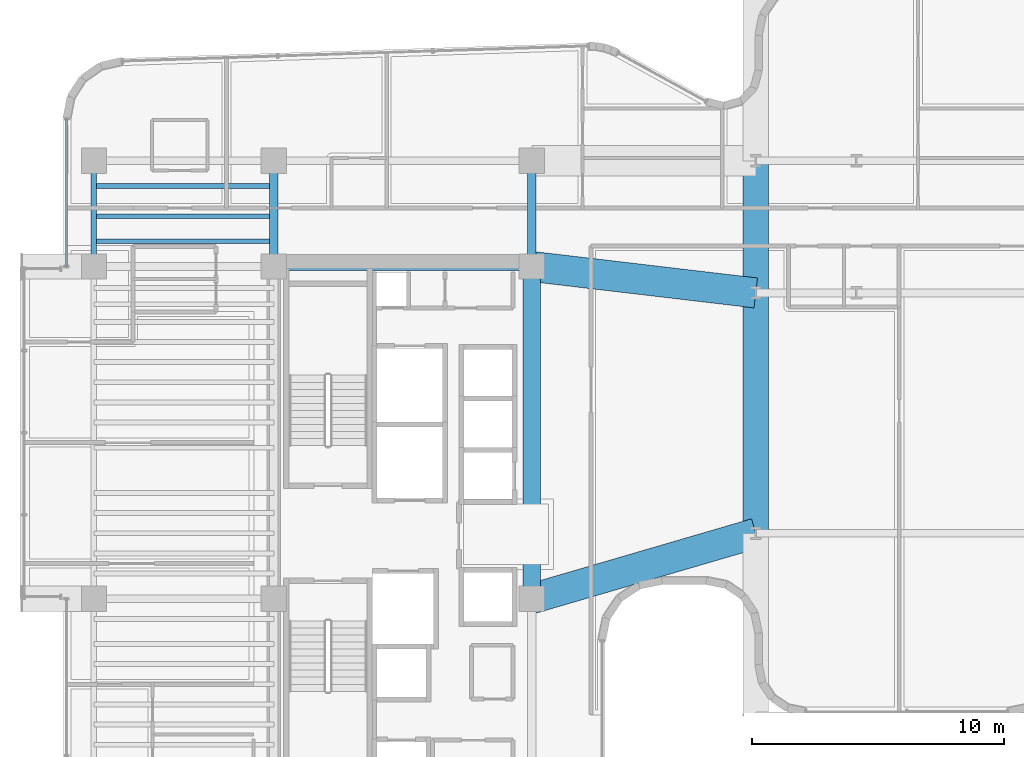
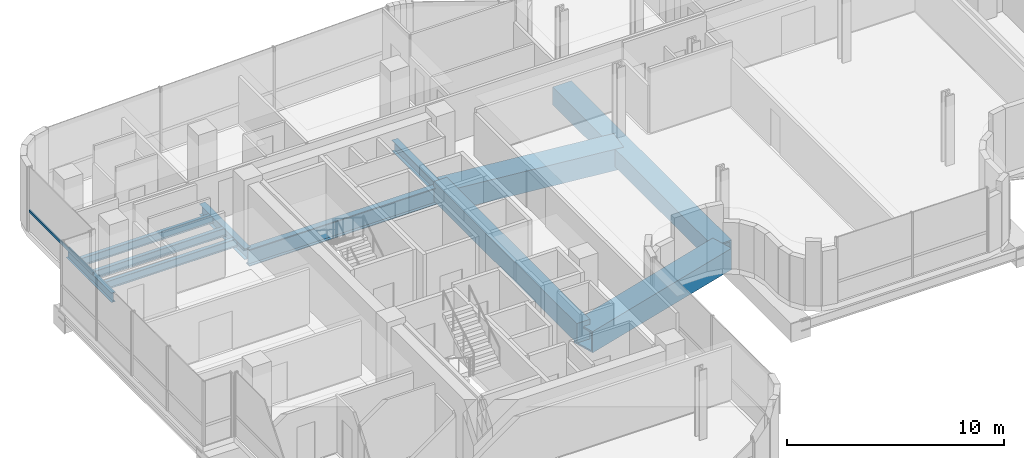
# One storey, part 8 of 38: 11 beams, 1 member, 1 element without a shape of its own.
"""IFC4 building model written with IfcOpenShell, lengths in metres."""

from ifc_helpers import new_model, si_unit, direction, frame, origin, origin_2d, place, context, subcontext, project, spatial, rectangle, hollow_rectangle, i_section, extrude, source, transform, mapped, material, material_profile, profile_set, type_object, element, aggregate, save


model = new_model("IFC4")

# Units and contexts
model_context = context("Model", 3, precision=1e-05, world=origin(), true_north=direction((0.0, 1.0)))
body_context = subcontext(model_context, "Body", "Model", "MODEL_VIEW")
ifc_project = project(units=[si_unit("LENGTHUNIT", "METRE"), si_unit("AREAUNIT", "SQUARE_METRE"), si_unit("VOLUMEUNIT", "CUBIC_METRE"), si_unit("PLANEANGLEUNIT", "RADIAN"), si_unit("MASSUNIT", "GRAM", prefix="KILO")], contexts=[model_context])

# Site, building, storey
site_placement = place(None, origin())
site = spatial("IfcSite", under=ifc_project, at=site_placement, CompositionType="ELEMENT")
building_placement = place(site_placement, origin())
building = spatial("IfcBuilding", under=site, at=building_placement, Name="Valdorenza Pilgrim Sanctuary Tower", CompositionType="ELEMENT")
storey_placement = place(building_placement, frame((0.0, 0.0, 180.5)))
storey = spatial("IfcBuildingStorey", under=building, at=storey_placement, Name="L46", CompositionType="ELEMENT", Elevation=180.5)

# Beams
ifc_material_1 = material(Name="Concrete C50/60", Category="concrete")
ifc_material_profile_1 = material_profile(ifc_material_1, rectangle(XDim=0.699951171875, YDim=1.10009765625, at=origin_2d()), Name="RC 1100x700")
ifc_profile_set_1 = profile_set([ifc_material_profile_1], Name="Concrete C50/60")
beam_type_1 = type_object("IfcBeamType", Name="STR-BM-LNT-1100", PredefinedType="LINTEL", material=ifc_profile_set_1)
shared_shape_1 = source(origin(), body_context, "Body", "SweptSolid", [
    extrude(rectangle(XDim=0.699951171875, YDim=1.10009765625, at=origin_2d()), origin(), (0.0, 0.0, 1.0), 13.2001953125),
])
beam_1_placement = place(storey_placement, frame((-12.39990234375, -2.60009765625, -0.590087890625), z_axis=(0.0, 1.0, 0.0), x_axis=(-1.0, 0.0, 0.0)))
element("IfcBeam", 1, at=beam_1_placement, inside=storey, type_object=beam_type_1, Name="L46 Core A Coupling Lintel Girder", PredefinedType="LINTEL", context=body_context, shape_type="MappedRepresentation", body=[
    mapped(shared_shape_1, transform((0.0, 0.0, 0.0), x_axis=(1.0, 0.0, 0.0), y_axis=(0.0, 1.0, 0.0), z_axis=(0.0, 0.0, 1.0), scale=1.0)),
])
ifc_material_2 = material(Name="Steel ASTM A992 Grade 50", Category="steel")
ifc_material_profile_2 = material_profile(ifc_material_2, i_section(OverallWidth=0.323974609375, OverallDepth=0.611083984375, WebThickness=0.0126953125, FlangeThickness=0.01904296875, at=origin_2d()), Name="W24X104")
ifc_profile_set_2 = profile_set([ifc_material_profile_2], Name="Steel ASTM A992 Grade 50")
beam_type_2 = type_object("IfcBeamType", Name="STR-BM-GRD-W24B", PredefinedType="BEAM", material=ifc_profile_set_2)
shared_shape_2 = source(origin(), body_context, "Body", "SweptSolid", [
    extrude(i_section(OverallWidth=0.323974609375, OverallDepth=0.611083984375, WebThickness=0.0126953125, FlangeThickness=0.01904296875, at=origin_2d()), origin(), (0.0, 0.0, 1.0), 4.199951171875),
])
for number, where, z_axis, x_axis, name in (
    (2, (-22.64990234375, 10.60009765625, -0.62548828125), (0.0, 1.0, 0.0), (-1.0, 0.0, 0.0), "L46 Core Tie Girder CA-W-N1N2"),
    (3, (-12.39990234375, 10.60009765625, -0.62548828125), (0.0, 1.0, 0.0), (-1.0, 0.0, 0.0), "L46 Core Tie Girder CA-E-N1N2"),
):
    element("IfcBeam", number, at=place(storey_placement, frame(where, z_axis=z_axis, x_axis=x_axis)), inside=storey, type_object=beam_type_2, Name=name, PredefinedType="BEAM", context=body_context, shape_type="MappedRepresentation", body=[
        mapped(shared_shape_2, transform((0.0, 0.0, 0.0), x_axis=(1.0, 0.0, 0.0), y_axis=(0.0, 1.0, 0.0), z_axis=(0.0, 0.0, 1.0), scale=1.0)),
    ])
ifc_material_profile_3 = material_profile(ifc_material_2, i_section(OverallWidth=0.19091796875, OverallDepth=0.45703125, WebThickness=0.009033203125, FlangeThickness=0.014404296875, at=origin_2d()), Name="W18X50")
ifc_profile_set_3 = profile_set([ifc_material_profile_3], Name="Steel ASTM A992 Grade 50")
beam_type_3 = type_object("IfcBeamType", Name="STR-BM-JST-W18B", PredefinedType="JOIST", material=ifc_profile_set_3)
shared_shape_3 = source(origin(), body_context, "Body", "SweptSolid", [
    extrude(i_section(OverallWidth=0.19091796875, OverallDepth=0.45703125, WebThickness=0.009033203125, FlangeThickness=0.014404296875, at=origin_2d()), origin(), (0.0, 0.0, 1.0), 7.150146484375),
])
for number, where, z_axis, x_axis, name in (
    (4, (-29.800048828125, 11.60009765625, -0.548583984375), (1.0, 0.0, 0.0), (0.0, 1.0, 0.0), "L46 Composite Floor Joist JST-WA-24"),
    (5, (-29.800048828125, 12.60009765625, -0.548583984375), (1.0, 0.0, 0.0), (0.0, 1.0, 0.0), "L46 Composite Floor Joist JST-WA-25"),
    (6, (-29.800048828125, 13.800048828125, -0.548583984375), (1.0, 0.0, 0.0), (0.0, 1.0, 0.0), "L46 Composite Floor Joist JST-WA-26"),
):
    element("IfcBeam", number, at=place(storey_placement, frame(where, z_axis=z_axis, x_axis=x_axis)), inside=storey, type_object=beam_type_3, Name=name, PredefinedType="JOIST", context=body_context, shape_type="MappedRepresentation", body=[
        mapped(shared_shape_3, transform((0.0, 0.0, 0.0), x_axis=(1.0, 0.0, 0.0), y_axis=(0.0, 1.0, 0.0), z_axis=(0.0, 0.0, 1.0), scale=1.0)),
    ])
ifc_material_profile_4 = material_profile(ifc_material_2, i_section(OverallWidth=0.2109375, OverallDepth=0.5390625, WebThickness=0.01171875, FlangeThickness=0.018798828125, at=origin_2d()), Name="W21X73")
ifc_profile_set_4 = profile_set([ifc_material_profile_4], Name="Steel ASTM A992 Grade 50")
beam_type_4 = type_object("IfcBeamType", Name="STR-BM-SPN-W21B", PredefinedType="SPANDREL", material=ifc_profile_set_4)
shared_shape_4 = source(origin(), body_context, "Body", "SweptSolid", [
    extrude(i_section(OverallWidth=0.2109375, OverallDepth=0.5390625, WebThickness=0.01171875, FlangeThickness=0.018798828125, at=origin_2d()), origin(), (0.0, 0.0, 1.0), 4.199951171875),
])
beam_2_placement = place(storey_placement, frame((-29.800048828125, 10.60009765625, -0.589599609375), z_axis=(0.0, 1.0, 0.0), x_axis=(-1.0, 0.0, 0.0)))
element("IfcBeam", 7, at=beam_2_placement, inside=storey, type_object=beam_type_4, Name="L46 Spandrel Beam WA-W-N1N2", PredefinedType="SPANDREL", context=body_context, shape_type="MappedRepresentation", body=[
    mapped(shared_shape_4, transform((0.0, 0.0, 0.0), x_axis=(1.0, 0.0, 0.0), y_axis=(0.0, 1.0, 0.0), z_axis=(0.0, 0.0, 1.0), scale=1.0)),
])
ifc_material_profile_5 = material_profile(ifc_material_2, i_section(OverallWidth=0.31005859375, OverallDepth=0.949951171875, WebThickness=0.0244140625, FlangeThickness=0.0439453125, at=origin_2d()), Name="W36X256")
ifc_profile_set_5 = profile_set([ifc_material_profile_5], Name="Steel ASTM A992 Grade 50")
beam_type_5 = type_object("IfcBeamType", Name="STR-BM-GRD-W36B", PredefinedType="BEAM", material=ifc_profile_set_5)
shared_shape_5 = source(origin(), body_context, "Body", "SweptSolid", [
    extrude(i_section(OverallWidth=0.31005859375, OverallDepth=0.949951171875, WebThickness=0.0244140625, FlangeThickness=0.0439453125, at=origin_2d()), origin(), (0.0, 0.0, 1.0), 10.25),
])
beam_3_placement = place(storey_placement, frame((-22.64990234375, 10.60009765625, -0.794921875), z_axis=(1.0, 0.0, 0.0), x_axis=(0.0, 1.0, 0.0)))
element("IfcBeam", 8, at=beam_3_placement, inside=storey, type_object=beam_type_5, Name="L46 Floor Girder CA-XC-N1", PredefinedType="BEAM", context=body_context, shape_type="MappedRepresentation", body=[
    mapped(shared_shape_5, transform((0.0, 0.0, 0.0), x_axis=(1.0, 0.0, 0.0), y_axis=(0.0, 1.0, 0.0), z_axis=(0.0, 0.0, 1.0), scale=1.0)),
])
ifc_material_3 = material(Name="Steel ASTM A572 Grade 42", Category="steel")
ifc_material_profile_6 = material_profile(ifc_material_3, hollow_rectangle(XDim=1.199951171875, YDim=1.199951171875, WallThickness=0.090087890625, at=origin_2d()), Name="BOX 1200x1200x90")
ifc_profile_set_6 = profile_set([ifc_material_profile_6], Name="Steel ASTM A572 Grade 42")
beam_type_6 = type_object("IfcBeamType", Name="STR-BM-TRF-1200", PredefinedType="BEAM", material=ifc_profile_set_6)
shared_shape_6 = source(origin(), body_context, "Body", "SweptSolid", [
    extrude(hollow_rectangle(XDim=1.199951171875, YDim=1.199951171875, WallThickness=0.090087890625, at=origin_2d()), origin(), (0.0, 0.0, 1.0), 9.27197265625),
])
beam_4_placement = place(storey_placement, frame((-12.39990234375, -2.60009765625, -0.919921875), z_axis=(0.959875453664, 0.280426663234, 0.0), x_axis=(-0.280426663234, 0.959875453664, 0.0)))
element("IfcBeam", 9, at=beam_4_placement, inside=storey, type_object=beam_type_6, Name="L46 Portal Bridge Transfer Girder PRY-G1-P0", PredefinedType="BEAM", context=body_context, shape_type="MappedRepresentation", body=[
    mapped(shared_shape_6, transform((0.0, 0.0, 0.0), x_axis=(1.0, 0.0, 0.0), y_axis=(0.0, 1.0, 0.0), z_axis=(0.0, 0.0, 1.0), scale=1.0)),
])
shared_shape_7 = source(origin(), body_context, "Body", "SweptSolid", [
    extrude(hollow_rectangle(XDim=1.199951171875, YDim=1.199951171875, WallThickness=0.090087890625, at=origin_2d()), origin(), (0.0, 0.0, 1.0), 8.961669921875),
])
beam_5_placement = place(storey_placement, frame((-12.39990234375, 10.60009765625, -0.919921875), z_axis=(0.993111684121, -0.117171595803, 0.0), x_axis=(0.117171595803, 0.993111684121, 0.0)))
element("IfcBeam", 10, at=beam_5_placement, inside=storey, type_object=beam_type_6, Name="L46 Portal Bridge Transfer Girder PRY-G1-P9", PredefinedType="BEAM", context=body_context, shape_type="MappedRepresentation", body=[
    mapped(shared_shape_7, transform((0.0, 0.0, 0.0), x_axis=(1.0, 0.0, 0.0), y_axis=(0.0, 1.0, 0.0), z_axis=(0.0, 0.0, 1.0), scale=1.0)),
])
ifc_material_profile_7 = material_profile(ifc_material_3, hollow_rectangle(XDim=1.0, YDim=1.0, WallThickness=0.080078125, at=origin_2d()), Name="BOX 1000x1000x80")
ifc_profile_set_7 = profile_set([ifc_material_profile_7], Name="Steel ASTM A572 Grade 42")
beam_type_7 = type_object("IfcBeamType", Name="STR-BM-PROW-CANT", PredefinedType="BEAM", material=ifc_profile_set_7)
shared_shape_8 = source(origin(), body_context, "Body", "SweptSolid", [
    extrude(hollow_rectangle(XDim=1.0, YDim=1.0, WallThickness=0.080078125, at=origin_2d()), origin(), (0.0, 0.0, 1.0), 14.800048828125),
])
beam_6_placement = place(storey_placement, frame((-3.5, 0.0, -0.820068359375), z_axis=(0.0, 1.0, 0.0), x_axis=(-1.0, 0.0, 0.0)))
element("IfcBeam", 11, at=beam_6_placement, inside=storey, type_object=beam_type_7, Name="L46 Sanctuary Backspan Girder PROW-BACK-N-W", PredefinedType="BEAM", context=body_context, shape_type="MappedRepresentation", body=[
    mapped(shared_shape_8, transform((0.0, 0.0, 0.0), x_axis=(1.0, 0.0, 0.0), y_axis=(0.0, 1.0, 0.0), z_axis=(0.0, 0.0, 1.0), scale=1.0)),
])

# Curtain wall, member
ifc_material_4 = material(Name="Curtain-wall IGU glazing", Category="glass")
curtain_wall_type = type_object("IfcCurtainWallType", Name="CW-SYS-02", PredefinedType="NOTDEFINED", material=ifc_material_4)
curtain_wall_placement = place(storey_placement, origin())
curtain_wall = element("IfcCurtainWall", 12, at=curtain_wall_placement, inside=storey, type_object=curtain_wall_type, Name="L46 Curtain Wall CW-L46-1-1S2", PredefinedType="NOTDEFINED")
ifc_material_5 = material(Name="Anodised aluminium AW-6060", Category="aluminium")
ifc_material_profile_8 = material_profile(ifc_material_5, hollow_rectangle(XDim=0.074951171875, YDim=0.14990234375, WallThickness=0.00390625, at=origin_2d()), Name="ALU-T 150x75x4")
ifc_profile_set_8 = profile_set([ifc_material_profile_8], Name="Anodised aluminium AW-6060")
member_type = type_object("IfcMemberType", Name="CW-TRN-02", PredefinedType="USERDEFINED", material=ifc_profile_set_8)
shared_shape_9 = source(origin(), body_context, "Body", "SweptSolid", [
    extrude(hollow_rectangle(XDim=0.074951171875, YDim=0.14990234375, WallThickness=0.00390625, at=origin_2d()), origin(), (0.0, 0.0, 1.0), 5.8662109375),
])
member_placement = place(storey_placement, frame((-30.889892578125, 10.60009765625, 1.1201171875), z_axis=(0.0, 1.0, 0.0), x_axis=(-1.0, 0.0, 0.0)))
member = element("IfcMember", 13, at=member_placement, type_object=member_type, Name="CW-L46-1-1S2 Transom 1", ObjectType="TRANSOM", PredefinedType="USERDEFINED", context=body_context, shape_type="MappedRepresentation", body=[
    mapped(shared_shape_9, transform((0.0, 0.0, 0.0), x_axis=(1.0, 0.0, 0.0), y_axis=(0.0, 1.0, 0.0), z_axis=(0.0, 0.0, 1.0), scale=1.0)),
])
aggregate(curtain_wall, [member])

save(model, "model.ifc")
